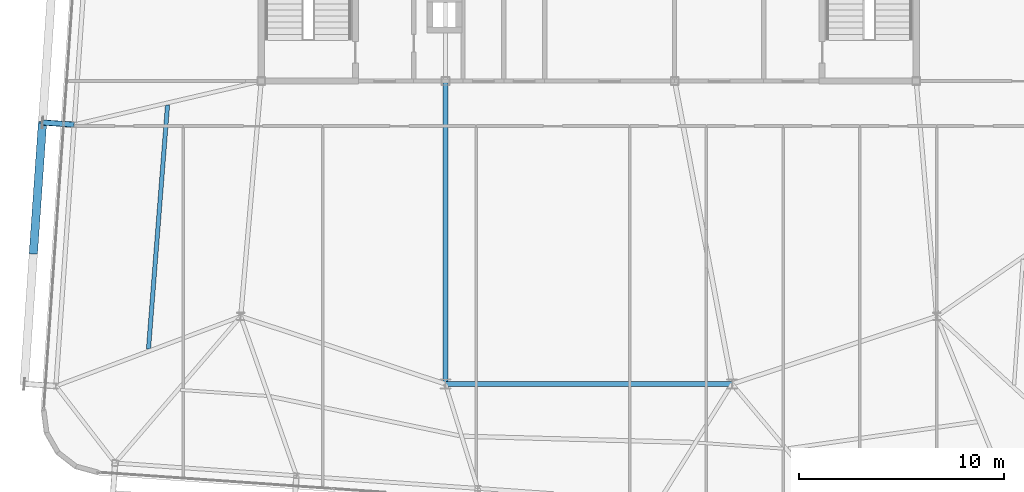
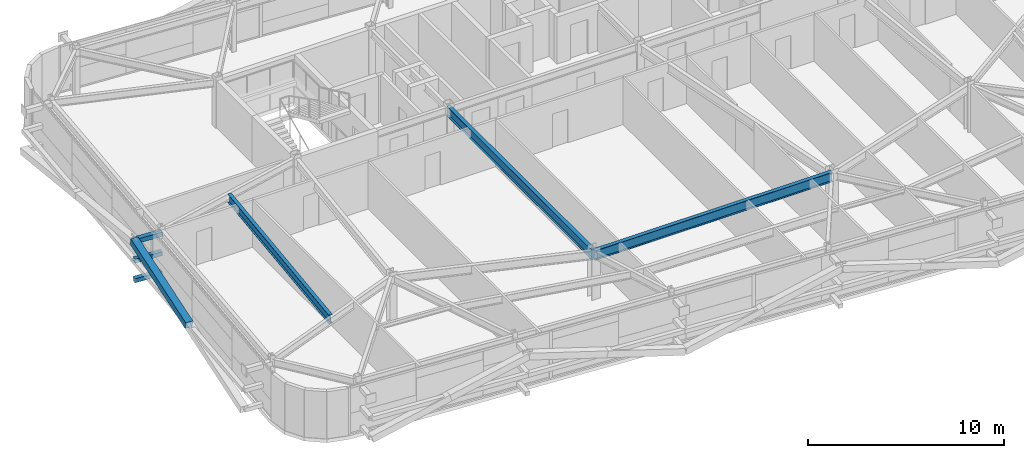
# One storey, part 10 of 39: 4 members, 3 beams.
"""IFC4 building model written with IfcOpenShell, lengths in metres."""

from ifc_helpers import new_model, si_unit, direction, frame, origin, origin_2d, place, context, subcontext, project, spatial, hollow_rectangle, i_section, extrude, source, transform, mapped, material, material_profile, profile_set, type_object, element, save


model = new_model("IFC4")

# Units and contexts
model_context = context("Model", 3, precision=1e-05, world=origin(), true_north=direction((0.0, 1.0)))
body_context = subcontext(model_context, "Body", "Model", "MODEL_VIEW")
ifc_project = project(units=[si_unit("LENGTHUNIT", "METRE"), si_unit("AREAUNIT", "SQUARE_METRE"), si_unit("VOLUMEUNIT", "CUBIC_METRE"), si_unit("PLANEANGLEUNIT", "RADIAN"), si_unit("MASSUNIT", "GRAM", prefix="KILO")], contexts=[model_context])

# Site, building, storey
site_placement = place(None, origin())
site = spatial("IfcSite", under=ifc_project, at=site_placement, CompositionType="ELEMENT")
building_placement = place(site_placement, origin())
building = spatial("IfcBuilding", under=site, at=building_placement, Name="Taldren Reach Tower", CompositionType="ELEMENT")
storey_placement = place(building_placement, frame((0.0, 0.0, 133.0)))
storey = spatial("IfcBuildingStorey", under=building, at=storey_placement, Name="L40", CompositionType="ELEMENT", Elevation=133.0)

# Beams
ifc_material_1 = material(Name="Steel Gr 350 (350PLUS)", Category="steel")
ifc_material_profile_1 = material_profile(ifc_material_1, i_section(OverallWidth=0.22802734375, OverallDepth=0.60205078125, WebThickness=0.010498046875, FlangeThickness=0.014892578125, at=origin_2d()), Name="610UB101")
ifc_profile_set_1 = profile_set([ifc_material_profile_1], Name="Steel Gr 350 (350PLUS)")
beam_type_1 = type_object("IfcBeamType", Name="BM-UB610B", PredefinedType="BEAM", material=ifc_profile_set_1)
shared_shape_1 = source(origin(), body_context, "Body", "SweptSolid", [
    extrude(i_section(OverallWidth=0.22802734375, OverallDepth=0.60205078125, WebThickness=0.010498046875, FlangeThickness=0.014892578125, at=origin_2d()), origin(), (0.0, 0.0, 1.0), 14.0),
])
beam_1_placement = place(storey_placement, frame((28.0, 9.199951171875, 2.62890625), z_axis=(1.0, 0.0, 0.0), x_axis=(0.0, 1.0, 0.0)))
element("IfcBeam", 1, at=beam_1_placement, inside=storey, type_object=beam_type_1, Name="Core-spine girder L40-SP11", PredefinedType="BEAM", context=body_context, shape_type="MappedRepresentation", body=[
    mapped(shared_shape_1, transform((0.0, 0.0, 0.0), scale=1.0)),
])
shared_shape_2 = source(origin(), body_context, "Body", "SweptSolid", [
    extrude(i_section(OverallWidth=0.22802734375, OverallDepth=0.60205078125, WebThickness=0.010498046875, FlangeThickness=0.014892578125, at=origin_2d()), origin(), (0.0, 0.0, 1.0), 14.800048828125),
])
beam_2_placement = place(storey_placement, frame((28.0, 24.0, 2.62890625), z_axis=(0.0, -1.0, 0.0), x_axis=(1.0, 0.0, 0.0)))
element("IfcBeam", 2, at=beam_2_placement, inside=storey, type_object=beam_type_1, Name="Core-spine girder L40-SP14", PredefinedType="BEAM", context=body_context, shape_type="MappedRepresentation", body=[
    mapped(shared_shape_2, transform((0.0, 0.0, 0.0), scale=1.0)),
])

# Members
ifc_material_2 = material(Name="Steel Gr 450 (C450L0)", Category="steel")
ifc_material_profile_2 = material_profile(ifc_material_2, hollow_rectangle(XDim=0.27490234375, YDim=0.27490234375, WallThickness=0.00927734375, at=origin_2d()), Name="275x275x9.3SHS")
ifc_profile_set_2 = profile_set([ifc_material_profile_2], Name="Steel Gr 450 (C450L0)")
member_type_1 = type_object("IfcMemberType", Name="MB-TIE273", PredefinedType="STRUT", material=ifc_profile_set_2)
shared_shape_3 = source(origin(), body_context, "Body", "SweptSolid", [
    extrude(hollow_rectangle(XDim=0.27490234375, YDim=0.27490234375, WallThickness=0.00927734375, at=origin_2d()), origin(), (0.0, 0.0, 1.0), 1.550048828125),
])
member_1_placement = place(storey_placement, frame((9.86181640625, 21.868408203125, 2.64990234375), z_axis=(-0.99756313426, 0.06976957191, 0.0), x_axis=(-0.06976957191, -0.99756313426, 0.0)))
element("IfcMember", 3, at=member_1_placement, inside=storey, type_object=member_type_1, Name="Exoskeleton diaphragm tie strut B3-W2 L40", PredefinedType="STRUT", context=body_context, shape_type="MappedRepresentation", body=[
    mapped(shared_shape_3, transform((0.0, 0.0, 0.0), scale=1.0)),
])
ifc_material_3 = material(Name="Steel Gr 350 (C350L0)", Category="steel")
ifc_material_profile_3 = material_profile(ifc_material_3, hollow_rectangle(XDim=0.25, YDim=0.25, WallThickness=0.010009765625, at=origin_2d()), Name="250x250x10.0SHS")
ifc_profile_set_3 = profile_set([ifc_material_profile_3], Name="Steel Gr 350 (C350L0)")
member_type_2 = type_object("IfcMemberType", Name="MB-POST250", PredefinedType="POST", material=ifc_profile_set_3)
shared_shape_4 = source(origin(), body_context, "Body", "SweptSolid", [
    extrude(hollow_rectangle(XDim=0.25, YDim=0.25, WallThickness=0.010009765625, at=origin_2d()), origin(), (0.0, 0.0, 1.0), 1.550048828125),
])
for number, where, z_axis, x_axis, name in (
    (4, (9.86181640625, 21.868408203125, 0.219970703125), (-0.99756313426, 0.06976957191, 0.0), (-0.06976957191, -0.99756313426, 0.0), "Exoskeleton base diaphragm tie strut B3-W2 L40"),
    (5, (9.86181640625, 21.868408203125, 1.43505859375), (-0.99756313426, 0.06976957191, 0.0), (-0.06976957191, -0.99756313426, 0.0), "Exoskeleton mid-tier diaphragm tie B3-W2 L40"),
):
    element("IfcMember", number, at=place(storey_placement, frame(where, z_axis=z_axis, x_axis=x_axis)), inside=storey, type_object=member_type_2, Name=name, PredefinedType="POST", context=body_context, shape_type="MappedRepresentation", body=[
        mapped(shared_shape_4, transform((0.0, 0.0, 0.0), scale=1.0)),
    ])

# Beam
ifc_material_profile_4 = material_profile(ifc_material_1, i_section(OverallWidth=0.208984375, OverallDepth=0.532958984375, WebThickness=0.01025390625, FlangeThickness=0.015625, at=origin_2d()), Name="530UB92.4")
ifc_profile_set_4 = profile_set([ifc_material_profile_4], Name="Steel Gr 350 (350PLUS)")
beam_type_2 = type_object("IfcBeamType", Name="BM-UB530A", PredefinedType="BEAM", material=ifc_profile_set_4)
shared_shape_5 = source(origin(), body_context, "Body", "SweptSolid", [
    extrude(i_section(OverallWidth=0.208984375, OverallDepth=0.532958984375, WebThickness=0.01025390625, FlangeThickness=0.015625, at=origin_2d()), origin(), (0.0, 0.0, 1.0), 11.965576171875),
])
beam_3_placement = place(storey_placement, frame((13.49267578125, 10.90478515625, 2.66357421875), z_axis=(0.077757433297, 0.996972307322, 0.0), x_axis=(-0.996972307322, 0.077757433297, 0.0)))
element("IfcBeam", 6, at=beam_3_placement, inside=storey, type_object=beam_type_2, Name="Secondary floor beam B3 J6 L40", PredefinedType="BEAM", context=body_context, shape_type="MappedRepresentation", body=[
    mapped(shared_shape_5, transform((0.0, 0.0, 0.0), scale=1.0)),
])

# Member
ifc_material_profile_5 = material_profile(ifc_material_2, hollow_rectangle(XDim=0.409912109375, YDim=0.409912109375, WallThickness=0.01611328125, at=origin_2d()), Name="410x410x16.0SHS")
ifc_profile_set_5 = profile_set([ifc_material_profile_5], Name="Steel Gr 450 (C450L0)")
member_type_3 = type_object("IfcMemberType", Name="MB-EXO406", PredefinedType="BRACE", material=ifc_profile_set_5)
shared_shape_6 = source(origin(), body_context, "Body", "SweptSolid", [
    extrude(hollow_rectangle(XDim=0.409912109375, YDim=0.409912109375, WallThickness=0.01611328125, at=origin_2d()), origin(), (0.0, 0.0, 1.0), 6.514404296875),
])
member_2_placement = place(storey_placement, frame((7.869140625, 15.592041015625, 1.43505859375), z_axis=(0.068508304784, 0.980066016634, 0.186486501425), x_axis=(-0.997565791441, 0.069731569223, 0.0)))
element("IfcMember", 7, at=member_2_placement, inside=storey, type_object=member_type_3, Name="Exoskeleton Diagrid Brace B3-W1 L40", PredefinedType="BRACE", context=body_context, shape_type="MappedRepresentation", body=[
    mapped(shared_shape_6, transform((0.0, 0.0, 0.0), scale=1.0)),
])

save(model, "model.ifc")
